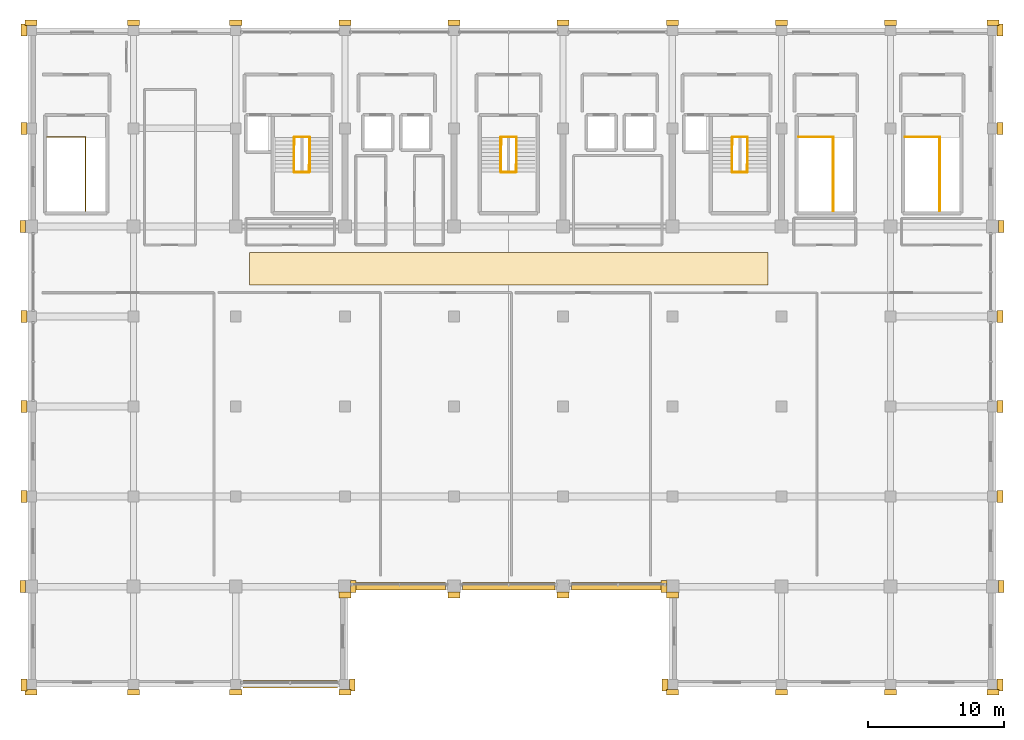
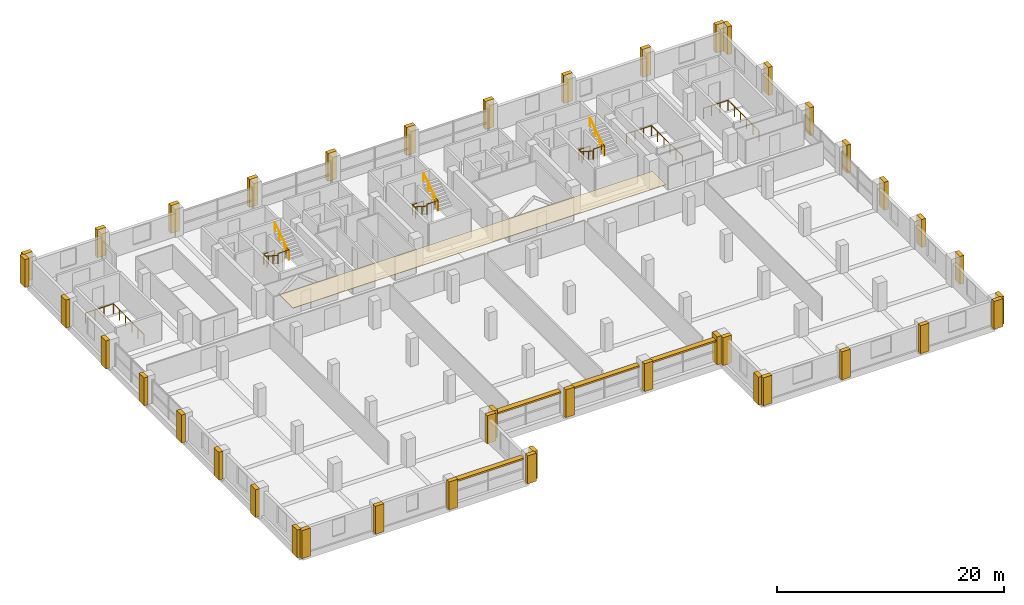
# One storey, part 21 of 21: 43 coverings, 15 railings, 4 shading devices.
"""IFC4 building model written with IfcOpenShell, lengths in metres."""

from ifc_helpers import new_model, si_unit, direction, frame, origin, origin_2d, place, context, subcontext, project, spatial, rectangle, circle, extrude, material, layer, layer_set, type_object, element, save


model = new_model("IFC4")

# Units and contexts
model_context = context("Model", 3, precision=1e-05, world=origin(), true_north=direction((0.0, 1.0)))
body_context = subcontext(model_context, "Body", "Model", "MODEL_VIEW")
ifc_project = project(units=[si_unit("LENGTHUNIT", "METRE"), si_unit("AREAUNIT", "SQUARE_METRE"), si_unit("VOLUMEUNIT", "CUBIC_METRE"), si_unit("PLANEANGLEUNIT", "RADIAN"), si_unit("MASSUNIT", "GRAM", prefix="KILO")], contexts=[model_context])

# Site, building, storey
site_placement = place(None, origin())
site = spatial("IfcSite", under=ifc_project, at=site_placement, CompositionType="ELEMENT")
building_placement = place(site_placement, origin())
building = spatial("IfcBuilding", under=site, at=building_placement, Name="Akrevak Sports Hall", CompositionType="ELEMENT")
storey_placement = place(building_placement, frame((0.0, 0.0, 37.300048828125)))
storey = spatial("IfcBuildingStorey", under=building, at=storey_placement, Name="L08", CompositionType="ELEMENT", Elevation=37.300048828125)

# Coverings
ifc_material_1 = material(Name="Acoustic Timber Slatted Baffle Ceiling", Category="wood")
ifc_layer_1 = layer(ifc_material_1, 0.050048828125, Name="Acoustic Timber Slatted Baffle Ceiling")
ifc_layer_set_1 = layer_set([ifc_layer_1], Name="Acoustic Timber Slatted Baffle Ceiling")
covering_type_1 = type_object("IfcCoveringType", Name="ARC-COV-CLG-BAFF", PredefinedType="CEILING", material=ifc_layer_set_1)
covering_placement = place(storey_placement, frame((80.0, 52.10009765625, 2.9599609375), z_axis=(0.0, 0.0, 1.0), x_axis=(1.0, 0.0, 0.0)))
element("IfcCovering", 1, at=covering_placement, inside=storey, type_object=covering_type_1, Name="Corridor Acoustic Ceiling L08", PredefinedType="CEILING", context=body_context, shape_type="SweptSolid", body=[
    extrude(rectangle(XDim=38.0, YDim=2.39990234375, at=origin_2d()), origin(), (0.0, 0.0, 1.0), 0.050048828125),
])
ifc_material_2 = material(Name="Limestone Ashlar", Category="stone")
ifc_layer_2 = layer(ifc_material_2, 0.47998046875, Name="Limestone Ashlar")
ifc_layer_set_2 = layer_set([ifc_layer_2], Name="Limestone Ashlar")
covering_type_2 = type_object("IfcCoveringType", Name="ARC-COV-PIL-LIM", PredefinedType="CLADDING", material=ifc_layer_set_2)
for number, where, z_axis, x_axis, name in (
    (2, (45.0, 21.070068359375, 0.0), (0.0, 0.0, 1.0), (1.0, 0.0, 0.0), "Giant-Order Limestone Pilaster L08-01-01"),
    (3, (52.5, 21.070068359375, 0.0), (0.0, 0.0, 1.0), (1.0, 0.0, 0.0), "Giant-Order Limestone Pilaster L08-01-02"),
    (4, (60.0, 21.070068359375, 0.0), (0.0, 0.0, 1.0), (1.0, 0.0, 0.0), "Giant-Order Limestone Pilaster L08-01-03"),
    (5, (68.0, 21.070068359375, 0.0), (0.0, 0.0, 1.0), (1.0, 0.0, 0.0), "Giant-Order Limestone Pilaster L08-01-04"),
    (6, (68.530029296875, 21.60009765625, 0.0), (0.0, 0.0, 1.0), (0.0, 1.0, 0.0), "Giant-Order Limestone Pilaster L08-02-04"),
    (7, (68.60498046875, 28.800048828125, 0.0), (0.0, 0.0, 1.0), (0.0, 1.0, 0.0), "Giant-Order Limestone Pilaster L08-02-05"),
    (8, (68.0, 28.195068359375, 0.0), (0.0, 0.0, 1.0), (1.0, 0.0, 0.0), "Giant-Order Limestone Pilaster L08-03-05"),
    (9, (76.0, 28.195068359375, 0.0), (0.0, 0.0, 1.0), (1.0, 0.0, 0.0), "Giant-Order Limestone Pilaster L08-03-06"),
    (10, (84.0, 28.195068359375, 0.0), (0.0, 0.0, 1.0), (1.0, 0.0, 0.0), "Giant-Order Limestone Pilaster L08-03-07"),
    (11, (92.0, 28.195068359375, 0.0), (0.0, 0.0, 1.0), (1.0, 0.0, 0.0), "Giant-Order Limestone Pilaster L08-03-08"),
    (12, (91.469970703125, 21.60009765625, 0.0), (0.0, 0.0, 1.0), (0.0, -1.0, 0.0), "Giant-Order Limestone Pilaster L08-04-09"),
    (13, (91.39501953125, 28.800048828125, 0.0), (0.0, 0.0, 1.0), (0.0, -1.0, 0.0), "Giant-Order Limestone Pilaster L08-04-09"),
    (14, (92.0, 21.070068359375, 0.0), (0.0, 0.0, 1.0), (1.0, 0.0, 0.0), "Giant-Order Limestone Pilaster L08-05-09"),
    (15, (100.0, 21.070068359375, 0.0), (0.0, 0.0, 1.0), (1.0, 0.0, 0.0), "Giant-Order Limestone Pilaster L08-05-10"),
    (16, (108.0, 21.070068359375, 0.0), (0.0, 0.0, 1.0), (1.0, 0.0, 0.0), "Giant-Order Limestone Pilaster L08-05-11"),
    (17, (115.5, 21.070068359375, 0.0), (0.0, 0.0, 1.0), (1.0, 0.0, 0.0), "Giant-Order Limestone Pilaster L08-05-12"),
    (18, (116.030029296875, 21.60009765625, 0.0), (0.0, 0.0, 1.0), (0.0, 1.0, 0.0), "Giant-Order Limestone Pilaster L08-06-12"),
    (19, (116.10498046875, 28.800048828125, 0.0), (0.0, 0.0, 1.0), (0.0, 1.0, 0.0), "Giant-Order Limestone Pilaster L08-06-13"),
    (20, (116.030029296875, 35.39990234375, 0.0), (0.0, 0.0, 1.0), (0.0, 1.0, 0.0), "Giant-Order Limestone Pilaster L08-06-14"),
    (21, (116.030029296875, 42.0, 0.0), (0.0, 0.0, 1.0), (0.0, 1.0, 0.0), "Giant-Order Limestone Pilaster L08-06-15"),
    (22, (116.030029296875, 48.60009765625, 0.0), (0.0, 0.0, 1.0), (0.0, 1.0, 0.0), "Giant-Order Limestone Pilaster L08-06-16"),
    (23, (116.10498046875, 55.199951171875, 0.0), (0.0, 0.0, 1.0), (0.0, 1.0, 0.0), "Giant-Order Limestone Pilaster L08-06-17"),
    (24, (116.030029296875, 62.39990234375, 0.0), (0.0, 0.0, 1.0), (0.0, 1.0, 0.0), "Giant-Order Limestone Pilaster L08-06-18"),
    (25, (116.030029296875, 69.60009765625, 0.0), (0.0, 0.0, 1.0), (0.0, 1.0, 0.0), "Giant-Order Limestone Pilaster L08-06-19"),
    (26, (45.0, 70.1298828125, 0.0), (0.0, 0.0, 1.0), (-1.0, 0.0, 0.0), "Giant-Order Limestone Pilaster L08-07-20"),
    (27, (52.5, 70.1298828125, 0.0), (0.0, 0.0, 1.0), (-1.0, 0.0, 0.0), "Giant-Order Limestone Pilaster L08-07-21"),
    (28, (60.0, 70.1298828125, 0.0), (0.0, 0.0, 1.0), (-1.0, 0.0, 0.0), "Giant-Order Limestone Pilaster L08-07-22"),
    (29, (68.0, 70.1298828125, 0.0), (0.0, 0.0, 1.0), (-1.0, 0.0, 0.0), "Giant-Order Limestone Pilaster L08-07-23"),
    (30, (76.0, 70.1298828125, 0.0), (0.0, 0.0, 1.0), (-1.0, 0.0, 0.0), "Giant-Order Limestone Pilaster L08-07-24"),
    (31, (84.0, 70.1298828125, 0.0), (0.0, 0.0, 1.0), (-1.0, 0.0, 0.0), "Giant-Order Limestone Pilaster L08-07-25"),
    (32, (92.0, 70.1298828125, 0.0), (0.0, 0.0, 1.0), (-1.0, 0.0, 0.0), "Giant-Order Limestone Pilaster L08-07-26"),
    (33, (100.0, 70.1298828125, 0.0), (0.0, 0.0, 1.0), (-1.0, 0.0, 0.0), "Giant-Order Limestone Pilaster L08-07-27"),
    (34, (108.0, 70.1298828125, 0.0), (0.0, 0.0, 1.0), (-1.0, 0.0, 0.0), "Giant-Order Limestone Pilaster L08-07-28"),
    (35, (115.5, 70.1298828125, 0.0), (0.0, 0.0, 1.0), (-1.0, 0.0, 0.0), "Giant-Order Limestone Pilaster L08-07-28"),
    (36, (44.469970703125, 21.60009765625, 0.0), (0.0, 0.0, 1.0), (0.0, -1.0, 0.0), "Giant-Order Limestone Pilaster L08-08-28"),
    (37, (44.39501953125, 28.800048828125, 0.0), (0.0, 0.0, 1.0), (0.0, -1.0, 0.0), "Giant-Order Limestone Pilaster L08-08-29"),
    (38, (44.469970703125, 35.39990234375, 0.0), (0.0, 0.0, 1.0), (0.0, -1.0, 0.0), "Giant-Order Limestone Pilaster L08-08-30"),
    (39, (44.469970703125, 42.0, 0.0), (0.0, 0.0, 1.0), (0.0, -1.0, 0.0), "Giant-Order Limestone Pilaster L08-08-31"),
    (40, (44.469970703125, 48.60009765625, 0.0), (0.0, 0.0, 1.0), (0.0, -1.0, 0.0), "Giant-Order Limestone Pilaster L08-08-32"),
    (41, (44.39501953125, 55.199951171875, 0.0), (0.0, 0.0, 1.0), (0.0, -1.0, 0.0), "Giant-Order Limestone Pilaster L08-08-33"),
    (42, (44.469970703125, 62.39990234375, 0.0), (0.0, 0.0, 1.0), (0.0, -1.0, 0.0), "Giant-Order Limestone Pilaster L08-08-34"),
    (43, (44.469970703125, 69.60009765625, 0.0), (0.0, 0.0, 1.0), (0.0, -1.0, 0.0), "Giant-Order Limestone Pilaster L08-08-34"),
):
    element("IfcCovering", number, at=place(storey_placement, frame(where, z_axis=z_axis, x_axis=x_axis)), inside=storey, type_object=covering_type_2, Name=name, PredefinedType="CLADDING", context=body_context, shape_type="SweptSolid", body=[
        extrude(rectangle(XDim=0.8798828125, YDim=0.419921875, at=origin_2d()), origin(), (0.0, 0.0, 1.0), 3.010009765625),
    ])

# Railings
ifc_material_3 = material(Name="Painted Architectural Balustrade Steel", Category="steel")
ifc_layer_3 = layer(ifc_material_3, 0.06005859375, Name="Painted Architectural Balustrade Steel")
ifc_layer_set_3 = layer_set([ifc_layer_3], Name="Painted Architectural Balustrade Steel")
railing_type_1 = type_object("IfcRailingType", Name="ARC-RL-GRD-1120", PredefinedType="GUARDRAIL", material=ifc_layer_set_3)
railing_1_placement = place(storey_placement, frame((64.31005859375, 61.215087890625, 0.0)))
element("IfcRailing", 44, at=railing_1_placement, inside=storey, type_object=railing_type_1, Name="Stair Floor Landing Well Guard ST1 (L08)", PredefinedType="GUARDRAIL", context=body_context, shape_type="SweptSolid", body=[
    extrude(circle(Radius=0.02392578125, at=origin_2d()), frame((0.0, 0.0, 1.09619140625), z_axis=(0.0, 1.0, 0.0), x_axis=(-1.0, 0.0, 0.0)), (0.0, 0.0, 1.0), 0.5498046875),
    extrude(circle(Radius=0.02392578125, at=origin_2d()), frame((0.0, 0.5498046875, 1.09619140625), z_axis=(1.0, 0.0, 0.0), x_axis=(0.0, 1.0, 0.0)), (0.0, 0.0, 1.0), 1.10986328125),
    extrude(circle(Radius=0.02099609375, at=origin_2d()), origin(), (0.0, 0.0, 1.0), 1.072021484375),
    extrude(circle(Radius=0.02099609375, at=origin_2d()), frame((0.0, 0.5498046875, 0.0)), (0.0, 0.0, 1.0), 1.072021484375),
    extrude(circle(Radius=0.02099609375, at=origin_2d()), frame((1.10986328125, 0.5498046875, 0.0)), (0.0, 0.0, 1.0), 1.072021484375),
])
railing_2_placement = place(storey_placement, frame((64.280029296875, 59.18505859375, 1.625)))
element("IfcRailing", 45, at=railing_2_placement, inside=storey, type_object=railing_type_1, Name="Stair Landing Well Guard ST1-L08-1", PredefinedType="GUARDRAIL", context=body_context, shape_type="SweptSolid", body=[
    extrude(circle(Radius=0.02392578125, at=origin_2d()), frame((0.0, 0.0, 1.09619140625), z_axis=(1.0, 0.0, 0.0), x_axis=(0.0, 1.0, 0.0)), (0.0, 0.0, 1.0), 1.10986328125),
    extrude(circle(Radius=0.02392578125, at=origin_2d()), frame((1.10986328125, 0.0, 1.09619140625), z_axis=(0.0, 1.0, 0.0), x_axis=(-1.0, 0.0, 0.0)), (0.0, 0.0, 1.0), 0.52001953125),
    extrude(circle(Radius=0.02099609375, at=origin_2d()), origin(), (0.0, 0.0, 1.0), 1.072021484375),
    extrude(circle(Radius=0.02099609375, at=origin_2d()), frame((1.10986328125, 0.0, 0.0)), (0.0, 0.0, 1.0), 1.072021484375),
    extrude(circle(Radius=0.02099609375, at=origin_2d()), frame((1.10986328125, 0.52001953125, 0.0)), (0.0, 0.0, 1.0), 1.072021484375),
])
railing_3_placement = place(storey_placement, frame((96.409912109375, 61.215087890625, 0.0)))
element("IfcRailing", 46, at=railing_3_placement, inside=storey, type_object=railing_type_1, Name="Stair Floor Landing Well Guard ST2 (L08)", PredefinedType="GUARDRAIL", context=body_context, shape_type="SweptSolid", body=[
    extrude(circle(Radius=0.02392578125, at=origin_2d()), frame((0.0, 0.0, 1.09619140625), z_axis=(0.0, 1.0, 0.0), x_axis=(-1.0, 0.0, 0.0)), (0.0, 0.0, 1.0), 0.5498046875),
    extrude(circle(Radius=0.02392578125, at=origin_2d()), frame((0.0, 0.5498046875, 1.09619140625), z_axis=(1.0, 0.0, 0.0), x_axis=(0.0, 1.0, 0.0)), (0.0, 0.0, 1.0), 1.110107421875),
    extrude(circle(Radius=0.02099609375, at=origin_2d()), origin(), (0.0, 0.0, 1.0), 1.072021484375),
    extrude(circle(Radius=0.02099609375, at=origin_2d()), frame((0.0, 0.5498046875, 0.0)), (0.0, 0.0, 1.0), 1.072021484375),
    extrude(circle(Radius=0.02099609375, at=origin_2d()), frame((1.110107421875, 0.5498046875, 0.0)), (0.0, 0.0, 1.0), 1.072021484375),
])
railing_4_placement = place(storey_placement, frame((96.3798828125, 59.18505859375, 1.625)))
element("IfcRailing", 47, at=railing_4_placement, inside=storey, type_object=railing_type_1, Name="Stair Landing Well Guard ST2-L08-1", PredefinedType="GUARDRAIL", context=body_context, shape_type="SweptSolid", body=[
    extrude(circle(Radius=0.02392578125, at=origin_2d()), frame((0.0, 0.0, 1.09619140625), z_axis=(1.0, 0.0, 0.0), x_axis=(0.0, 1.0, 0.0)), (0.0, 0.0, 1.0), 1.110107421875),
    extrude(circle(Radius=0.02392578125, at=origin_2d()), frame((1.110107421875, 0.0, 1.09619140625), z_axis=(0.0, 1.0, 0.0), x_axis=(-1.0, 0.0, 0.0)), (0.0, 0.0, 1.0), 0.52001953125),
    extrude(circle(Radius=0.02099609375, at=origin_2d()), origin(), (0.0, 0.0, 1.0), 1.072021484375),
    extrude(circle(Radius=0.02099609375, at=origin_2d()), frame((1.110107421875, 0.0, 0.0)), (0.0, 0.0, 1.0), 1.072021484375),
    extrude(circle(Radius=0.02099609375, at=origin_2d()), frame((1.110107421875, 0.52001953125, 0.0)), (0.0, 0.0, 1.0), 1.072021484375),
])
railing_5_placement = place(storey_placement, frame((79.4599609375, 61.215087890625, 0.0)))
element("IfcRailing", 48, at=railing_5_placement, inside=storey, type_object=railing_type_1, Name="Stair Floor Landing Well Guard ST3 (L08)", PredefinedType="GUARDRAIL", context=body_context, shape_type="SweptSolid", body=[
    extrude(circle(Radius=0.02392578125, at=origin_2d()), frame((0.0, 0.0, 1.09619140625), z_axis=(0.0, 1.0, 0.0), x_axis=(-1.0, 0.0, 0.0)), (0.0, 0.0, 1.0), 0.5498046875),
    extrude(circle(Radius=0.02392578125, at=origin_2d()), frame((0.0, 0.5498046875, 1.09619140625), z_axis=(1.0, 0.0, 0.0), x_axis=(0.0, 1.0, 0.0)), (0.0, 0.0, 1.0), 1.110107421875),
    extrude(circle(Radius=0.02099609375, at=origin_2d()), origin(), (0.0, 0.0, 1.0), 1.072021484375),
    extrude(circle(Radius=0.02099609375, at=origin_2d()), frame((0.0, 0.5498046875, 0.0)), (0.0, 0.0, 1.0), 1.072021484375),
    extrude(circle(Radius=0.02099609375, at=origin_2d()), frame((1.110107421875, 0.5498046875, 0.0)), (0.0, 0.0, 1.0), 1.072021484375),
])
railing_6_placement = place(storey_placement, frame((79.429931640625, 59.18505859375, 1.625)))
element("IfcRailing", 49, at=railing_6_placement, inside=storey, type_object=railing_type_1, Name="Stair Landing Well Guard ST3-L08-1", PredefinedType="GUARDRAIL", context=body_context, shape_type="SweptSolid", body=[
    extrude(circle(Radius=0.02392578125, at=origin_2d()), frame((0.0, 0.0, 1.09619140625), z_axis=(1.0, 0.0, 0.0), x_axis=(0.0, 1.0, 0.0)), (0.0, 0.0, 1.0), 1.110107421875),
    extrude(circle(Radius=0.02392578125, at=origin_2d()), frame((1.110107421875, 0.0, 1.09619140625), z_axis=(0.0, 1.0, 0.0), x_axis=(-1.0, 0.0, 0.0)), (0.0, 0.0, 1.0), 0.52001953125),
    extrude(circle(Radius=0.02099609375, at=origin_2d()), origin(), (0.0, 0.0, 1.0), 1.072021484375),
    extrude(circle(Radius=0.02099609375, at=origin_2d()), frame((1.110107421875, 0.0, 0.0)), (0.0, 0.0, 1.0), 1.072021484375),
    extrude(circle(Radius=0.02099609375, at=origin_2d()), frame((1.110107421875, 0.52001953125, 0.0)), (0.0, 0.0, 1.0), 1.072021484375),
])
railing_7_placement = place(storey_placement, frame((46.169921875, 61.77490234375, 0.0)))
element("IfcRailing", 50, at=railing_7_placement, inside=storey, type_object=railing_type_1, Name="Top Stairwell Guardrail ST4 (L08)", PredefinedType="GUARDRAIL", context=body_context, shape_type="SweptSolid", body=[
    extrude(circle(Radius=0.02392578125, at=origin_2d()), frame((0.0, 0.0, 1.09619140625), z_axis=(1.0, 0.0, 0.0), x_axis=(0.0, 1.0, 0.0)), (0.0, 0.0, 1.0), 2.820068359375),
    extrude(circle(Radius=0.02392578125, at=origin_2d()), frame((2.820068359375, 0.0, 1.09619140625), z_axis=(0.0, -1.0, 0.0), x_axis=(1.0, 0.0, 0.0)), (0.0, 0.0, 1.0), 5.434814453125),
    extrude(circle(Radius=0.02099609375, at=origin_2d()), origin(), (0.0, 0.0, 1.0), 1.072021484375),
    extrude(circle(Radius=0.02099609375, at=origin_2d()), frame((0.93994140625, 0.0, 0.0)), (0.0, 0.0, 1.0), 1.072021484375),
    extrude(circle(Radius=0.02099609375, at=origin_2d()), frame((1.880126953125, 0.0, 0.0)), (0.0, 0.0, 1.0), 1.072021484375),
    extrude(circle(Radius=0.02099609375, at=origin_2d()), frame((2.820068359375, 0.0, 0.0)), (0.0, 0.0, 1.0), 1.072021484375),
    extrude(circle(Radius=0.02099609375, at=origin_2d()), frame((2.820068359375, -1.0869140625, 0.0)), (0.0, 0.0, 1.0), 1.072021484375),
    extrude(circle(Radius=0.02099609375, at=origin_2d()), frame((2.820068359375, -2.173828125, 0.0)), (0.0, 0.0, 1.0), 1.072021484375),
    extrude(circle(Radius=0.02099609375, at=origin_2d()), frame((2.820068359375, -3.260986328125, 0.0)), (0.0, 0.0, 1.0), 1.072021484375),
    extrude(circle(Radius=0.02099609375, at=origin_2d()), frame((2.820068359375, -4.347900390625, 0.0)), (0.0, 0.0, 1.0), 1.072021484375),
    extrude(circle(Radius=0.02099609375, at=origin_2d()), frame((2.820068359375, -5.434814453125, 0.0)), (0.0, 0.0, 1.0), 1.072021484375),
])
for number, where, name in (
    (51, (101.27001953125, 61.77490234375, 0.0), "Top Stairwell Guardrail ST10 (L08)"),
    (52, (109.070068359375, 61.77490234375, 0.0), "Top Stairwell Guardrail ST11 (L08)"),
):
    element("IfcRailing", number, at=place(storey_placement, frame(where)), inside=storey, type_object=railing_type_1, Name=name, PredefinedType="GUARDRAIL", context=body_context, shape_type="SweptSolid", body=[
        extrude(circle(Radius=0.02392578125, at=origin_2d()), frame((0.0, 0.0, 1.09619140625), z_axis=(1.0, 0.0, 0.0), x_axis=(0.0, 1.0, 0.0)), (0.0, 0.0, 1.0), 2.530029296875),
        extrude(circle(Radius=0.02392578125, at=origin_2d()), frame((2.530029296875, 0.0, 1.09619140625), z_axis=(0.0, -1.0, 0.0), x_axis=(1.0, 0.0, 0.0)), (0.0, 0.0, 1.0), 5.434814453125),
        extrude(circle(Radius=0.02099609375, at=origin_2d()), origin(), (0.0, 0.0, 1.0), 1.072021484375),
        extrude(circle(Radius=0.02099609375, at=origin_2d()), frame((0.84326171875, 0.0, 0.0)), (0.0, 0.0, 1.0), 1.072021484375),
        extrude(circle(Radius=0.02099609375, at=origin_2d()), frame((1.686767578125, 0.0, 0.0)), (0.0, 0.0, 1.0), 1.072021484375),
        extrude(circle(Radius=0.02099609375, at=origin_2d()), frame((2.530029296875, 0.0, 0.0)), (0.0, 0.0, 1.0), 1.072021484375),
        extrude(circle(Radius=0.02099609375, at=origin_2d()), frame((2.530029296875, -1.0869140625, 0.0)), (0.0, 0.0, 1.0), 1.072021484375),
        extrude(circle(Radius=0.02099609375, at=origin_2d()), frame((2.530029296875, -2.173828125, 0.0)), (0.0, 0.0, 1.0), 1.072021484375),
        extrude(circle(Radius=0.02099609375, at=origin_2d()), frame((2.530029296875, -3.260986328125, 0.0)), (0.0, 0.0, 1.0), 1.072021484375),
        extrude(circle(Radius=0.02099609375, at=origin_2d()), frame((2.530029296875, -4.347900390625, 0.0)), (0.0, 0.0, 1.0), 1.072021484375),
        extrude(circle(Radius=0.02099609375, at=origin_2d()), frame((2.530029296875, -5.434814453125, 0.0)), (0.0, 0.0, 1.0), 1.072021484375),
    ])
ifc_material_4 = material(Name="Brushed Stainless Steel 304", Category="steel")
ifc_layer_4 = layer(ifc_material_4, 0.050048828125, Name="Brushed Stainless Steel 304")
ifc_layer_set_4 = layer_set([ifc_layer_4], Name="Brushed Stainless Steel 304")
railing_type_2 = type_object("IfcRailingType", Name="ARC-RL-HND-900", PredefinedType="HANDRAIL", material=ifc_layer_set_4)
railing_8_placement = place(storey_placement, frame((64.280029296875, 61.735107421875, 0.0)))
element("IfcRailing", 53, at=railing_8_placement, inside=storey, type_object=railing_type_2, Name="Stair Handrail ST1-L08-F1", PredefinedType="HANDRAIL", context=body_context, shape_type="SweptSolid", body=[
    extrude(circle(Radius=0.02392578125, at=origin_2d()), frame((0.0, 0.0, 0.8759765625), z_axis=(0.0, -0.840421059866, 0.541933983188), x_axis=(1.0, 0.0, 0.0)), (0.0, 0.0, 1.0), 2.99853515625),
    extrude(circle(Radius=0.02099609375, at=origin_2d()), origin(), (0.0, 0.0, 1.0), 0.851806640625),
    extrude(circle(Radius=0.02099609375, at=origin_2d()), frame((0.0, -0.840087890625, 0.541748046875)), (0.0, 0.0, 1.0), 0.851806640625),
    extrude(circle(Radius=0.02099609375, at=origin_2d()), frame((0.0, -1.679931640625, 1.083251953125)), (0.0, 0.0, 1.0), 0.851806640625),
    extrude(circle(Radius=0.02099609375, at=origin_2d()), frame((0.0, -2.52001953125, 1.625)), (0.0, 0.0, 1.0), 0.851806640625),
])
railing_9_placement = place(storey_placement, frame((65.419921875, 59.215087890625, 1.625)))
element("IfcRailing", 54, at=railing_9_placement, inside=storey, type_object=railing_type_2, Name="Stair Handrail ST1-L08-F2", PredefinedType="HANDRAIL", context=body_context, shape_type="SweptSolid", body=[
    extrude(circle(Radius=0.02392578125, at=origin_2d()), frame((0.0, 0.0, 0.8759765625), z_axis=(0.0, 0.840421059866, 0.541933983188), x_axis=(-1.0, 0.0, 0.0)), (0.0, 0.0, 1.0), 2.99853515625),
    extrude(circle(Radius=0.02099609375, at=origin_2d()), origin(), (0.0, 0.0, 1.0), 0.851806640625),
    extrude(circle(Radius=0.02099609375, at=origin_2d()), frame((0.0, 0.840087890625, 0.541748046875)), (0.0, 0.0, 1.0), 0.851806640625),
    extrude(circle(Radius=0.02099609375, at=origin_2d()), frame((0.0, 1.679931640625, 1.083251953125)), (0.0, 0.0, 1.0), 0.851806640625),
    extrude(circle(Radius=0.02099609375, at=origin_2d()), frame((0.0, 2.52001953125, 1.625)), (0.0, 0.0, 1.0), 0.851806640625),
])
railing_10_placement = place(storey_placement, frame((96.3798828125, 61.735107421875, 0.0)))
element("IfcRailing", 55, at=railing_10_placement, inside=storey, type_object=railing_type_2, Name="Stair Handrail ST2-L08-F1", PredefinedType="HANDRAIL", context=body_context, shape_type="SweptSolid", body=[
    extrude(circle(Radius=0.02392578125, at=origin_2d()), frame((0.0, 0.0, 0.8759765625), z_axis=(0.0, -0.840421059866, 0.541933983188), x_axis=(1.0, 0.0, 0.0)), (0.0, 0.0, 1.0), 2.99853515625),
    extrude(circle(Radius=0.02099609375, at=origin_2d()), origin(), (0.0, 0.0, 1.0), 0.851806640625),
    extrude(circle(Radius=0.02099609375, at=origin_2d()), frame((0.0, -0.840087890625, 0.541748046875)), (0.0, 0.0, 1.0), 0.851806640625),
    extrude(circle(Radius=0.02099609375, at=origin_2d()), frame((0.0, -1.679931640625, 1.083251953125)), (0.0, 0.0, 1.0), 0.851806640625),
    extrude(circle(Radius=0.02099609375, at=origin_2d()), frame((0.0, -2.52001953125, 1.625)), (0.0, 0.0, 1.0), 0.851806640625),
])
railing_11_placement = place(storey_placement, frame((97.52001953125, 59.215087890625, 1.625)))
element("IfcRailing", 56, at=railing_11_placement, inside=storey, type_object=railing_type_2, Name="Stair Handrail ST2-L08-F2", PredefinedType="HANDRAIL", context=body_context, shape_type="SweptSolid", body=[
    extrude(circle(Radius=0.02392578125, at=origin_2d()), frame((0.0, 0.0, 0.8759765625), z_axis=(0.0, 0.840421059866, 0.541933983188), x_axis=(-1.0, 0.0, 0.0)), (0.0, 0.0, 1.0), 2.99853515625),
    extrude(circle(Radius=0.02099609375, at=origin_2d()), origin(), (0.0, 0.0, 1.0), 0.851806640625),
    extrude(circle(Radius=0.02099609375, at=origin_2d()), frame((0.0, 0.840087890625, 0.541748046875)), (0.0, 0.0, 1.0), 0.851806640625),
    extrude(circle(Radius=0.02099609375, at=origin_2d()), frame((0.0, 1.679931640625, 1.083251953125)), (0.0, 0.0, 1.0), 0.851806640625),
    extrude(circle(Radius=0.02099609375, at=origin_2d()), frame((0.0, 2.52001953125, 1.625)), (0.0, 0.0, 1.0), 0.851806640625),
])
railing_12_placement = place(storey_placement, frame((79.429931640625, 61.735107421875, 0.0)))
element("IfcRailing", 57, at=railing_12_placement, inside=storey, type_object=railing_type_2, Name="Stair Handrail ST3-L08-F1", PredefinedType="HANDRAIL", context=body_context, shape_type="SweptSolid", body=[
    extrude(circle(Radius=0.02392578125, at=origin_2d()), frame((0.0, 0.0, 0.8759765625), z_axis=(0.0, -0.840421059866, 0.541933983188), x_axis=(1.0, 0.0, 0.0)), (0.0, 0.0, 1.0), 2.99853515625),
    extrude(circle(Radius=0.02099609375, at=origin_2d()), origin(), (0.0, 0.0, 1.0), 0.851806640625),
    extrude(circle(Radius=0.02099609375, at=origin_2d()), frame((0.0, -0.840087890625, 0.541748046875)), (0.0, 0.0, 1.0), 0.851806640625),
    extrude(circle(Radius=0.02099609375, at=origin_2d()), frame((0.0, -1.679931640625, 1.083251953125)), (0.0, 0.0, 1.0), 0.851806640625),
    extrude(circle(Radius=0.02099609375, at=origin_2d()), frame((0.0, -2.52001953125, 1.625)), (0.0, 0.0, 1.0), 0.851806640625),
])
railing_13_placement = place(storey_placement, frame((80.570068359375, 59.215087890625, 1.625)))
element("IfcRailing", 58, at=railing_13_placement, inside=storey, type_object=railing_type_2, Name="Stair Handrail ST3-L08-F2", PredefinedType="HANDRAIL", context=body_context, shape_type="SweptSolid", body=[
    extrude(circle(Radius=0.02392578125, at=origin_2d()), frame((0.0, 0.0, 0.8759765625), z_axis=(0.0, 0.840421059866, 0.541933983188), x_axis=(-1.0, 0.0, 0.0)), (0.0, 0.0, 1.0), 2.99853515625),
    extrude(circle(Radius=0.02099609375, at=origin_2d()), origin(), (0.0, 0.0, 1.0), 0.851806640625),
    extrude(circle(Radius=0.02099609375, at=origin_2d()), frame((0.0, 0.840087890625, 0.541748046875)), (0.0, 0.0, 1.0), 0.851806640625),
    extrude(circle(Radius=0.02099609375, at=origin_2d()), frame((0.0, 1.679931640625, 1.083251953125)), (0.0, 0.0, 1.0), 0.851806640625),
    extrude(circle(Radius=0.02099609375, at=origin_2d()), frame((0.0, 2.52001953125, 1.625)), (0.0, 0.0, 1.0), 0.851806640625),
])

# Shading devices
ifc_material_5 = material(Name="Anodized Bronze Aluminium", Category="aluminium")
shading_device_type = type_object("IfcShadingDeviceType", Name="ARC-SHD-BRZ-300", PredefinedType="JALOUSIE", material=ifc_material_5)
shading_device_placement = place(storey_placement, frame((64.0, 21.639892578125, 2.33984375), z_axis=(0.0, 0.0, 1.0), x_axis=(1.0, 0.0, 0.0)))
element("IfcShadingDevice", 59, at=shading_device_placement, inside=storey, type_object=shading_device_type, Name="Tower Bronze Louvre SH-15", PredefinedType="JALOUSIE", context=body_context, shape_type="SweptSolid", body=[
    extrude(rectangle(XDim=6.912109375, YDim=0.5400390625, at=origin_2d()), origin(), (0.0, 0.0, 1.0), 0.179931640625),
])
for number, where, z_axis, x_axis, name in (
    (60, (72.0, 28.840087890625, 2.33984375), (0.0, 0.0, 1.0), (1.0, 0.0, 0.0), "Tower Bronze Louvre SH-16"),
    (61, (80.0, 28.840087890625, 2.33984375), (0.0, 0.0, 1.0), (1.0, 0.0, 0.0), "Tower Bronze Louvre SH-17"),
    (62, (88.0, 28.840087890625, 2.33984375), (0.0, 0.0, 1.0), (1.0, 0.0, 0.0), "Tower Bronze Louvre SH-18"),
):
    element("IfcShadingDevice", number, at=place(storey_placement, frame(where, z_axis=z_axis, x_axis=x_axis)), inside=storey, type_object=shading_device_type, Name=name, PredefinedType="JALOUSIE", context=body_context, shape_type="SweptSolid", body=[
        extrude(rectangle(XDim=6.76806640625, YDim=0.5400390625, at=origin_2d()), origin(), (0.0, 0.0, 1.0), 0.179931640625),
    ])

save(model, "model.ifc")
